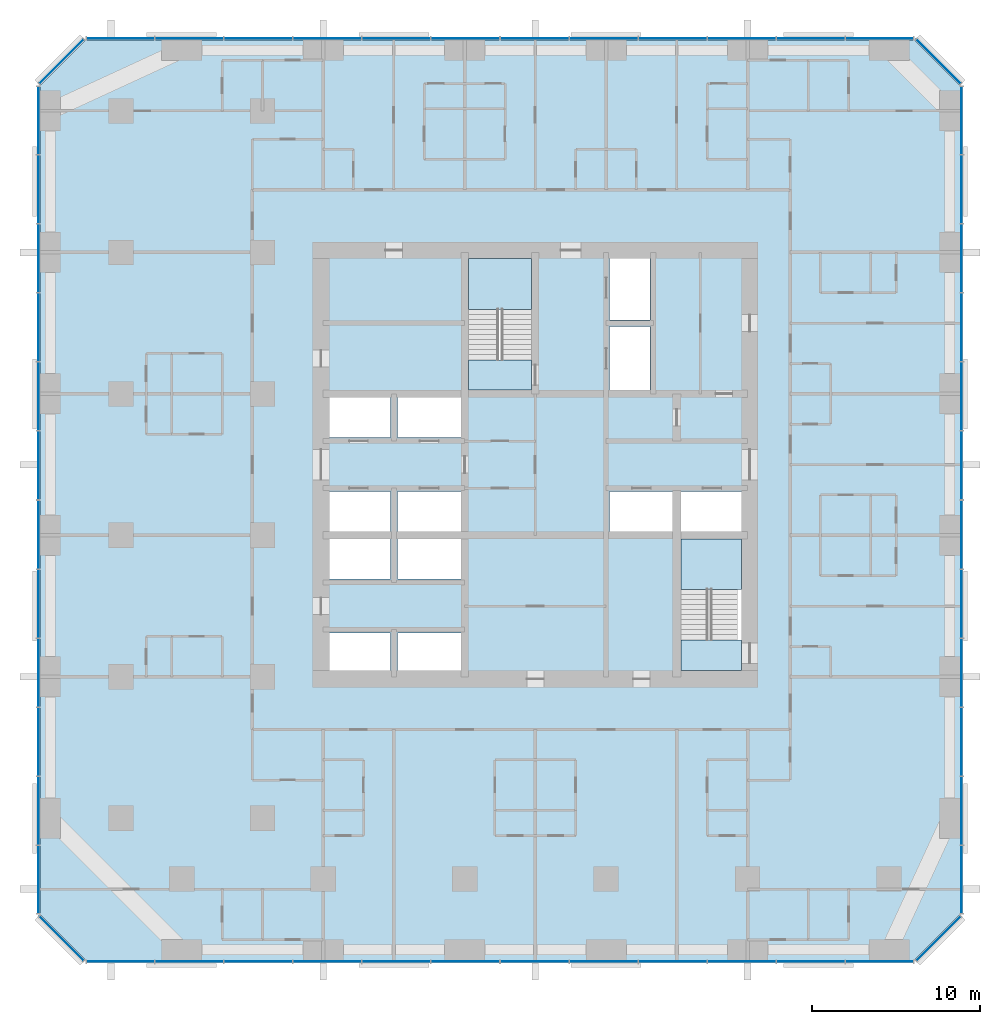
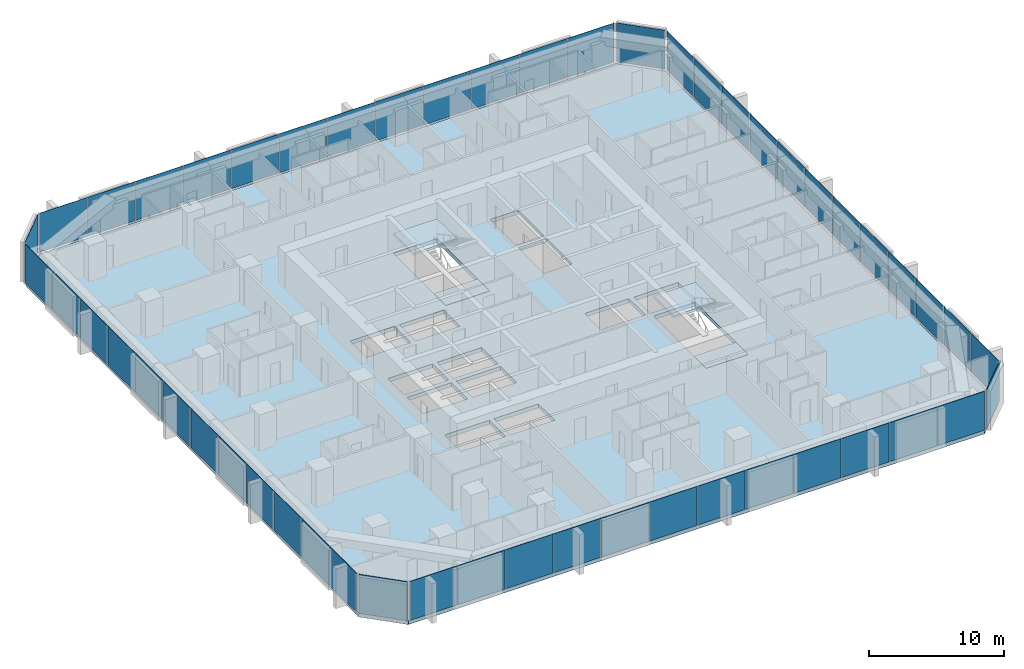
# One storey, part 7 of 14: 52 plates, 5 slabs, 10 elements without a shape of their own.
"""IFC4 building model written with IfcOpenShell, lengths in metres."""

from ifc_helpers import new_model, si_unit, direction, frame, origin, origin_2d, place, context, subcontext, project, spatial, polyline, rectangle, outline, extrude, material, layer, layer_set, type_object, element, aggregate, save


model = new_model("IFC4")

# Units and contexts
model_context = context("Model", 3, precision=1e-05, world=origin(), true_north=direction((0.0, 1.0)))
body_context = subcontext(model_context, "Body", "Model", "MODEL_VIEW")
ifc_project = project(units=[si_unit("LENGTHUNIT", "METRE"), si_unit("AREAUNIT", "SQUARE_METRE"), si_unit("VOLUMEUNIT", "CUBIC_METRE"), si_unit("PLANEANGLEUNIT", "RADIAN"), si_unit("MASSUNIT", "GRAM", prefix="KILO")], contexts=[model_context])

# Site, building, storey
site_placement = place(None, origin())
site = spatial("IfcSite", under=ifc_project, at=site_placement, CompositionType="ELEMENT")
building_placement = place(site_placement, origin())
building = spatial("IfcBuilding", under=site, at=building_placement, Name="Dunama Terrace Hotel", CompositionType="ELEMENT")
storey_placement = place(building_placement, frame((0.0, 0.0, 126.0)))
storey = spatial("IfcBuildingStorey", under=building, at=storey_placement, Name="L32", CompositionType="ELEMENT", Elevation=126.0)

# Curtain wall, plates
ifc_material_1 = material(Name="Aluminium curtain wall system", Category="aluminium")
curtain_wall_type = type_object("IfcCurtainWallType", Name="Unitised fritted glass wall CW-B", PredefinedType="NOTDEFINED", material=ifc_material_1)
curtain_wall_1_placement = place(storey_placement, origin())
curtain_wall_1 = element("IfcCurtainWall", 1, at=curtain_wall_1_placement, inside=storey, type_object=curtain_wall_type, Name="Unitised fritted glass wall CW-B L32", PredefinedType="NOTDEFINED")
ifc_material_2 = material(Name="Laminated glass", Category="glass")
ifc_layer_1 = layer(ifc_material_2, 0.030029296875)
ifc_layer_set_1 = layer_set([ifc_layer_1], Name="CWB clear glass panel")
plate_type_1 = type_object("IfcPlateType", Name="CWB clear glass panel", PredefinedType="CURTAIN_PANEL", material=ifc_layer_set_1)
plate_1_placement = place(storey_placement, frame((12.949951171875, -0.110107421875, 0.080078125), z_axis=(0.0, 0.0, 1.0), x_axis=(1.0, 0.0, 0.0)))
plate_1 = element("IfcPlate", 2, at=plate_1_placement, type_object=plate_type_1, Name="CWB clear glass panel", PredefinedType="CURTAIN_PANEL", context=body_context, shape_type="SweptSolid", body=[
    extrude(rectangle(XDim=4.034912109375, YDim=0.030029296875, at=origin_2d()), origin(), (0.0, 0.0, 1.0), 3.52001953125),
])
plate_2_placement = place(storey_placement, frame((25.25, -0.110107421875, 0.080078125), z_axis=(0.0, 0.0, 1.0), x_axis=(1.0, 0.0, 0.0)))
plate_2 = element("IfcPlate", 3, at=plate_2_placement, type_object=plate_type_1, Name="CWB clear glass panel", PredefinedType="CURTAIN_PANEL", context=body_context, shape_type="SweptSolid", body=[
    extrude(rectangle(XDim=4.034912109375, YDim=0.030029296875, at=origin_2d()), origin(), (0.0, 0.0, 1.0), 3.52001953125),
])
plate_3_placement = place(storey_placement, frame((37.550048828125, -0.110107421875, 0.080078125), z_axis=(0.0, 0.0, 1.0), x_axis=(1.0, 0.0, 0.0)))
plate_3 = element("IfcPlate", 4, at=plate_3_placement, type_object=plate_type_1, Name="CWB clear glass panel", PredefinedType="CURTAIN_PANEL", context=body_context, shape_type="SweptSolid", body=[
    extrude(rectangle(XDim=4.034912109375, YDim=0.030029296875, at=origin_2d()), origin(), (0.0, 0.0, 1.0), 3.52001953125),
])
plate_4_placement = place(storey_placement, frame((49.833984375, -0.110107421875, 0.080078125), z_axis=(0.0, 0.0, 1.0), x_axis=(1.0, 0.0, 0.0)))
plate_4 = element("IfcPlate", 5, at=plate_4_placement, type_object=plate_type_1, Name="CWB clear glass panel", PredefinedType="CURTAIN_PANEL", context=body_context, shape_type="SweptSolid", body=[
    extrude(rectangle(XDim=4.00244140625, YDim=0.030029296875, at=origin_2d()), origin(), (0.0, 0.0, 1.0), 3.52001953125),
])

curtain_wall_2_placement = place(storey_placement, origin())
curtain_wall_2 = element("IfcCurtainWall", 6, at=curtain_wall_2_placement, inside=storey, type_object=curtain_wall_type, Name="Unitised fritted glass wall CW-B L32", PredefinedType="NOTDEFINED")
plate_5_placement = place(storey_placement, frame((54.7099609375, 8.85009765625, 0.080078125), z_axis=(0.0, 0.0, 1.0), x_axis=(0.0, 1.0, 0.0)))
plate_5 = element("IfcPlate", 7, at=plate_5_placement, type_object=plate_type_1, Name="CWB clear glass panel", PredefinedType="CURTAIN_PANEL", context=body_context, shape_type="SweptSolid", body=[
    extrude(rectangle(XDim=4.034912109375, YDim=0.030029296875, at=origin_2d()), origin(), (0.0, 0.0, 1.0), 3.52001953125),
])
plate_6_placement = place(storey_placement, frame((54.7099609375, 21.14990234375, 0.080078125), z_axis=(0.0, 0.0, 1.0), x_axis=(0.0, 1.0, 0.0)))
plate_6 = element("IfcPlate", 8, at=plate_6_placement, type_object=plate_type_1, Name="CWB clear glass panel", PredefinedType="CURTAIN_PANEL", context=body_context, shape_type="SweptSolid", body=[
    extrude(rectangle(XDim=4.034912109375, YDim=0.030029296875, at=origin_2d()), origin(), (0.0, 0.0, 1.0), 3.52001953125),
])
plate_7_placement = place(storey_placement, frame((54.7099609375, 33.449951171875, 0.080078125), z_axis=(0.0, 0.0, 1.0), x_axis=(0.0, 1.0, 0.0)))
plate_7 = element("IfcPlate", 9, at=plate_7_placement, type_object=plate_type_1, Name="CWB clear glass panel", PredefinedType="CURTAIN_PANEL", context=body_context, shape_type="SweptSolid", body=[
    extrude(rectangle(XDim=4.034912109375, YDim=0.030029296875, at=origin_2d()), origin(), (0.0, 0.0, 1.0), 3.52001953125),
])
plate_8_placement = place(storey_placement, frame((54.7099609375, 45.75, 0.080078125), z_axis=(0.0, 0.0, 1.0), x_axis=(0.0, 1.0, 0.0)))
plate_8 = element("IfcPlate", 10, at=plate_8_placement, type_object=plate_type_1, Name="CWB clear glass panel", PredefinedType="CURTAIN_PANEL", context=body_context, shape_type="SweptSolid", body=[
    extrude(rectangle(XDim=4.034912109375, YDim=0.030029296875, at=origin_2d()), origin(), (0.0, 0.0, 1.0), 3.52001953125),
])

curtain_wall_3_placement = place(storey_placement, origin())
curtain_wall_3 = element("IfcCurtainWall", 11, at=curtain_wall_3_placement, inside=storey, type_object=curtain_wall_type, Name="Unitised fritted glass wall CW-B L32", PredefinedType="NOTDEFINED")
plate_9_placement = place(storey_placement, frame((49.833984375, 54.7099609375, 0.080078125), z_axis=(0.0, 0.0, 1.0), x_axis=(-1.0, 0.0, 0.0)))
plate_9 = element("IfcPlate", 12, at=plate_9_placement, type_object=plate_type_1, Name="CWB clear glass panel", PredefinedType="CURTAIN_PANEL", context=body_context, shape_type="SweptSolid", body=[
    extrude(rectangle(XDim=4.00244140625, YDim=0.030029296875, at=origin_2d()), origin(), (0.0, 0.0, 1.0), 3.52001953125),
])
plate_10_placement = place(storey_placement, frame((37.550048828125, 54.7099609375, 0.080078125), z_axis=(0.0, 0.0, 1.0), x_axis=(-1.0, 0.0, 0.0)))
plate_10 = element("IfcPlate", 13, at=plate_10_placement, type_object=plate_type_1, Name="CWB clear glass panel", PredefinedType="CURTAIN_PANEL", context=body_context, shape_type="SweptSolid", body=[
    extrude(rectangle(XDim=4.034912109375, YDim=0.030029296875, at=origin_2d()), origin(), (0.0, 0.0, 1.0), 3.52001953125),
])
plate_11_placement = place(storey_placement, frame((25.25, 54.7099609375, 0.080078125), z_axis=(0.0, 0.0, 1.0), x_axis=(-1.0, 0.0, 0.0)))
plate_11 = element("IfcPlate", 14, at=plate_11_placement, type_object=plate_type_1, Name="CWB clear glass panel", PredefinedType="CURTAIN_PANEL", context=body_context, shape_type="SweptSolid", body=[
    extrude(rectangle(XDim=4.034912109375, YDim=0.030029296875, at=origin_2d()), origin(), (0.0, 0.0, 1.0), 3.52001953125),
])
plate_12_placement = place(storey_placement, frame((12.949951171875, 54.7099609375, 0.080078125), z_axis=(0.0, 0.0, 1.0), x_axis=(-1.0, 0.0, 0.0)))
plate_12 = element("IfcPlate", 15, at=plate_12_placement, type_object=plate_type_1, Name="CWB clear glass panel", PredefinedType="CURTAIN_PANEL", context=body_context, shape_type="SweptSolid", body=[
    extrude(rectangle(XDim=4.034912109375, YDim=0.030029296875, at=origin_2d()), origin(), (0.0, 0.0, 1.0), 3.52001953125),
])

# Curtain wall, plate
curtain_wall_4_placement = place(storey_placement, origin())
curtain_wall_4 = element("IfcCurtainWall", 16, at=curtain_wall_4_placement, inside=storey, type_object=curtain_wall_type, Name="Unitised fritted glass wall CW-B L32", PredefinedType="NOTDEFINED")
plate_13_placement = place(storey_placement, frame((1.27197265625, 53.327880859375, 0.080078125), z_axis=(0.0, 0.0, 1.0), x_axis=(-0.707106781187, -0.707106781187, 0.0)))
plate_13 = element("IfcPlate", 17, at=plate_13_placement, type_object=plate_type_1, Name="CWB clear glass panel", PredefinedType="CURTAIN_PANEL", context=body_context, shape_type="SweptSolid", body=[
    extrude(rectangle(XDim=3.6884765625, YDim=0.030029296875, at=origin_2d()), origin(), (0.0, 0.0, 1.0), 3.52001953125),
])
aggregate(curtain_wall_4, [plate_13])

# Curtain wall, plates
curtain_wall_5_placement = place(storey_placement, origin())
curtain_wall_5 = element("IfcCurtainWall", 18, at=curtain_wall_5_placement, inside=storey, type_object=curtain_wall_type, Name="Unitised fritted glass wall CW-B L32", PredefinedType="NOTDEFINED")
plate_14_placement = place(storey_placement, frame((-0.110107421875, 41.64990234375, 0.080078125), z_axis=(0.0, 0.0, 1.0), x_axis=(0.0, -1.0, 0.0)))
plate_14 = element("IfcPlate", 19, at=plate_14_placement, type_object=plate_type_1, Name="CWB clear glass panel", PredefinedType="CURTAIN_PANEL", context=body_context, shape_type="SweptSolid", body=[
    extrude(rectangle(XDim=4.034912109375, YDim=0.030029296875, at=origin_2d()), origin(), (0.0, 0.0, 1.0), 3.52001953125),
])
plate_15_placement = place(storey_placement, frame((-0.110107421875, 29.35009765625, 0.080078125), z_axis=(0.0, 0.0, 1.0), x_axis=(0.0, -1.0, 0.0)))
plate_15 = element("IfcPlate", 20, at=plate_15_placement, type_object=plate_type_1, Name="CWB clear glass panel", PredefinedType="CURTAIN_PANEL", context=body_context, shape_type="SweptSolid", body=[
    extrude(rectangle(XDim=4.034912109375, YDim=0.030029296875, at=origin_2d()), origin(), (0.0, 0.0, 1.0), 3.52001953125),
])
plate_16_placement = place(storey_placement, frame((-0.110107421875, 17.050048828125, 0.080078125), z_axis=(0.0, 0.0, 1.0), x_axis=(0.0, -1.0, 0.0)))
plate_16 = element("IfcPlate", 21, at=plate_16_placement, type_object=plate_type_1, Name="CWB clear glass panel", PredefinedType="CURTAIN_PANEL", context=body_context, shape_type="SweptSolid", body=[
    extrude(rectangle(XDim=4.034912109375, YDim=0.030029296875, at=origin_2d()), origin(), (0.0, 0.0, 1.0), 3.52001953125),
])
plate_17_placement = place(storey_placement, frame((-0.110107421875, 4.76611328125, 0.080078125), z_axis=(0.0, 0.0, 1.0), x_axis=(0.0, -1.0, 0.0)))
plate_17 = element("IfcPlate", 22, at=plate_17_placement, type_object=plate_type_1, Name="CWB clear glass panel", PredefinedType="CURTAIN_PANEL", context=body_context, shape_type="SweptSolid", body=[
    extrude(rectangle(XDim=4.00244140625, YDim=0.030029296875, at=origin_2d()), origin(), (0.0, 0.0, 1.0), 3.52001953125),
])

# Plate
ifc_material_3 = material(Name="Fritted laminated glass", Category="glass")
ifc_layer_2 = layer(ifc_material_3, 0.030029296875)
ifc_layer_set_2 = layer_set([ifc_layer_2], Name="CWB fritted glass panel")
plate_type_2 = type_object("IfcPlateType", Name="CWB fritted glass panel", PredefinedType="CURTAIN_PANEL", material=ifc_layer_set_2)
plate_18_placement = place(storey_placement, frame((8.85009765625, -0.110107421875, 0.080078125), z_axis=(0.0, 0.0, 1.0), x_axis=(1.0, 0.0, 0.0)))
plate_18 = element("IfcPlate", 23, at=plate_18_placement, type_object=plate_type_2, Name="CWB fritted glass panel", PredefinedType="CURTAIN_PANEL", context=body_context, shape_type="SweptSolid", body=[
    extrude(rectangle(XDim=4.034912109375, YDim=0.030029296875, at=origin_2d()), origin(), (0.0, 0.0, 1.0), 3.52001953125),
])

plate_19_placement = place(storey_placement, frame((21.14990234375, -0.110107421875, 0.080078125), z_axis=(0.0, 0.0, 1.0), x_axis=(1.0, 0.0, 0.0)))
plate_19 = element("IfcPlate", 24, at=plate_19_placement, type_object=plate_type_2, Name="CWB fritted glass panel", PredefinedType="CURTAIN_PANEL", context=body_context, shape_type="SweptSolid", body=[
    extrude(rectangle(XDim=4.034912109375, YDim=0.030029296875, at=origin_2d()), origin(), (0.0, 0.0, 1.0), 3.52001953125),
])

plate_20_placement = place(storey_placement, frame((33.449951171875, -0.110107421875, 0.080078125), z_axis=(0.0, 0.0, 1.0), x_axis=(1.0, 0.0, 0.0)))
plate_20 = element("IfcPlate", 25, at=plate_20_placement, type_object=plate_type_2, Name="CWB fritted glass panel", PredefinedType="CURTAIN_PANEL", context=body_context, shape_type="SweptSolid", body=[
    extrude(rectangle(XDim=4.034912109375, YDim=0.030029296875, at=origin_2d()), origin(), (0.0, 0.0, 1.0), 3.52001953125),
])

plate_21_placement = place(storey_placement, frame((45.75, -0.110107421875, 0.080078125), z_axis=(0.0, 0.0, 1.0), x_axis=(1.0, 0.0, 0.0)))
plate_21 = element("IfcPlate", 26, at=plate_21_placement, type_object=plate_type_2, Name="CWB fritted glass panel", PredefinedType="CURTAIN_PANEL", context=body_context, shape_type="SweptSolid", body=[
    extrude(rectangle(XDim=4.034912109375, YDim=0.030029296875, at=origin_2d()), origin(), (0.0, 0.0, 1.0), 3.52001953125),
])

plate_22_placement = place(storey_placement, frame((54.7099609375, 4.76611328125, 0.080078125), z_axis=(0.0, 0.0, 1.0), x_axis=(0.0, 1.0, 0.0)))
plate_22 = element("IfcPlate", 27, at=plate_22_placement, type_object=plate_type_2, Name="CWB fritted glass panel", PredefinedType="CURTAIN_PANEL", context=body_context, shape_type="SweptSolid", body=[
    extrude(rectangle(XDim=4.00244140625, YDim=0.030029296875, at=origin_2d()), origin(), (0.0, 0.0, 1.0), 3.52001953125),
])

plate_23_placement = place(storey_placement, frame((54.7099609375, 17.050048828125, 0.080078125), z_axis=(0.0, 0.0, 1.0), x_axis=(0.0, 1.0, 0.0)))
plate_23 = element("IfcPlate", 28, at=plate_23_placement, type_object=plate_type_2, Name="CWB fritted glass panel", PredefinedType="CURTAIN_PANEL", context=body_context, shape_type="SweptSolid", body=[
    extrude(rectangle(XDim=4.034912109375, YDim=0.030029296875, at=origin_2d()), origin(), (0.0, 0.0, 1.0), 3.52001953125),
])

plate_24_placement = place(storey_placement, frame((54.7099609375, 29.35009765625, 0.080078125), z_axis=(0.0, 0.0, 1.0), x_axis=(0.0, 1.0, 0.0)))
plate_24 = element("IfcPlate", 29, at=plate_24_placement, type_object=plate_type_2, Name="CWB fritted glass panel", PredefinedType="CURTAIN_PANEL", context=body_context, shape_type="SweptSolid", body=[
    extrude(rectangle(XDim=4.034912109375, YDim=0.030029296875, at=origin_2d()), origin(), (0.0, 0.0, 1.0), 3.52001953125),
])

plate_25_placement = place(storey_placement, frame((54.7099609375, 41.64990234375, 0.080078125), z_axis=(0.0, 0.0, 1.0), x_axis=(0.0, 1.0, 0.0)))
plate_25 = element("IfcPlate", 30, at=plate_25_placement, type_object=plate_type_2, Name="CWB fritted glass panel", PredefinedType="CURTAIN_PANEL", context=body_context, shape_type="SweptSolid", body=[
    extrude(rectangle(XDim=4.034912109375, YDim=0.030029296875, at=origin_2d()), origin(), (0.0, 0.0, 1.0), 3.52001953125),
])

# Curtain wall, plate
curtain_wall_6_placement = place(storey_placement, origin())
curtain_wall_6 = element("IfcCurtainWall", 31, at=curtain_wall_6_placement, inside=storey, type_object=curtain_wall_type, Name="Unitised fritted glass wall CW-B L32", PredefinedType="NOTDEFINED")
plate_26_placement = place(storey_placement, frame((53.327880859375, 53.327880859375, 0.080078125), z_axis=(0.0, 0.0, 1.0), x_axis=(-0.707106781187, 0.707106781187, 0.0)))
plate_26 = element("IfcPlate", 32, at=plate_26_placement, type_object=plate_type_2, Name="CWB fritted glass panel", PredefinedType="CURTAIN_PANEL", context=body_context, shape_type="SweptSolid", body=[
    extrude(rectangle(XDim=3.6884765625, YDim=0.030029296875, at=origin_2d()), origin(), (0.0, 0.0, 1.0), 3.52001953125),
])
aggregate(curtain_wall_6, [plate_26])

# Plate
plate_27_placement = place(storey_placement, frame((41.64990234375, 54.7099609375, 0.080078125), z_axis=(0.0, 0.0, 1.0), x_axis=(-1.0, 0.0, 0.0)))
plate_27 = element("IfcPlate", 33, at=plate_27_placement, type_object=plate_type_2, Name="CWB fritted glass panel", PredefinedType="CURTAIN_PANEL", context=body_context, shape_type="SweptSolid", body=[
    extrude(rectangle(XDim=4.034912109375, YDim=0.030029296875, at=origin_2d()), origin(), (0.0, 0.0, 1.0), 3.52001953125),
])

plate_28_placement = place(storey_placement, frame((29.35009765625, 54.7099609375, 0.080078125), z_axis=(0.0, 0.0, 1.0), x_axis=(-1.0, 0.0, 0.0)))
plate_28 = element("IfcPlate", 34, at=plate_28_placement, type_object=plate_type_2, Name="CWB fritted glass panel", PredefinedType="CURTAIN_PANEL", context=body_context, shape_type="SweptSolid", body=[
    extrude(rectangle(XDim=4.034912109375, YDim=0.030029296875, at=origin_2d()), origin(), (0.0, 0.0, 1.0), 3.52001953125),
])

plate_29_placement = place(storey_placement, frame((17.050048828125, 54.7099609375, 0.080078125), z_axis=(0.0, 0.0, 1.0), x_axis=(-1.0, 0.0, 0.0)))
plate_29 = element("IfcPlate", 35, at=plate_29_placement, type_object=plate_type_2, Name="CWB fritted glass panel", PredefinedType="CURTAIN_PANEL", context=body_context, shape_type="SweptSolid", body=[
    extrude(rectangle(XDim=4.034912109375, YDim=0.030029296875, at=origin_2d()), origin(), (0.0, 0.0, 1.0), 3.52001953125),
])

plate_30_placement = place(storey_placement, frame((4.76611328125, 54.7099609375, 0.080078125), z_axis=(0.0, 0.0, 1.0), x_axis=(-1.0, 0.0, 0.0)))
plate_30 = element("IfcPlate", 36, at=plate_30_placement, type_object=plate_type_2, Name="CWB fritted glass panel", PredefinedType="CURTAIN_PANEL", context=body_context, shape_type="SweptSolid", body=[
    extrude(rectangle(XDim=4.00244140625, YDim=0.030029296875, at=origin_2d()), origin(), (0.0, 0.0, 1.0), 3.52001953125),
])

plate_31_placement = place(storey_placement, frame((-0.110107421875, 45.75, 0.080078125), z_axis=(0.0, 0.0, 1.0), x_axis=(0.0, -1.0, 0.0)))
plate_31 = element("IfcPlate", 37, at=plate_31_placement, type_object=plate_type_2, Name="CWB fritted glass panel", PredefinedType="CURTAIN_PANEL", context=body_context, shape_type="SweptSolid", body=[
    extrude(rectangle(XDim=4.034912109375, YDim=0.030029296875, at=origin_2d()), origin(), (0.0, 0.0, 1.0), 3.52001953125),
])

plate_32_placement = place(storey_placement, frame((-0.110107421875, 33.449951171875, 0.080078125), z_axis=(0.0, 0.0, 1.0), x_axis=(0.0, -1.0, 0.0)))
plate_32 = element("IfcPlate", 38, at=plate_32_placement, type_object=plate_type_2, Name="CWB fritted glass panel", PredefinedType="CURTAIN_PANEL", context=body_context, shape_type="SweptSolid", body=[
    extrude(rectangle(XDim=4.034912109375, YDim=0.030029296875, at=origin_2d()), origin(), (0.0, 0.0, 1.0), 3.52001953125),
])

plate_33_placement = place(storey_placement, frame((-0.110107421875, 21.14990234375, 0.080078125), z_axis=(0.0, 0.0, 1.0), x_axis=(0.0, -1.0, 0.0)))
plate_33 = element("IfcPlate", 39, at=plate_33_placement, type_object=plate_type_2, Name="CWB fritted glass panel", PredefinedType="CURTAIN_PANEL", context=body_context, shape_type="SweptSolid", body=[
    extrude(rectangle(XDim=4.034912109375, YDim=0.030029296875, at=origin_2d()), origin(), (0.0, 0.0, 1.0), 3.52001953125),
])

plate_34_placement = place(storey_placement, frame((-0.110107421875, 8.85009765625, 0.080078125), z_axis=(0.0, 0.0, 1.0), x_axis=(0.0, -1.0, 0.0)))
plate_34 = element("IfcPlate", 40, at=plate_34_placement, type_object=plate_type_2, Name="CWB fritted glass panel", PredefinedType="CURTAIN_PANEL", context=body_context, shape_type="SweptSolid", body=[
    extrude(rectangle(XDim=4.034912109375, YDim=0.030029296875, at=origin_2d()), origin(), (0.0, 0.0, 1.0), 3.52001953125),
])

ifc_material_4 = material(Name="Laminated glass", Category="glass")
ifc_layer_3 = layer(ifc_material_4, 0.030029296875)
ifc_layer_set_3 = layer_set([ifc_layer_3], Name="CWB operable glass panel")
plate_type_3 = type_object("IfcPlateType", Name="CWB operable glass panel", PredefinedType="CURTAIN_PANEL", material=ifc_layer_set_3)
plate_35_placement = place(storey_placement, frame((4.76611328125, -0.110107421875, 0.080078125), z_axis=(0.0, 0.0, 1.0), x_axis=(1.0, 0.0, 0.0)))
plate_35 = element("IfcPlate", 41, at=plate_35_placement, type_object=plate_type_3, Name="CWB operable glass panel", PredefinedType="CURTAIN_PANEL", context=body_context, shape_type="SweptSolid", body=[
    extrude(rectangle(XDim=4.00244140625, YDim=0.030029296875, at=origin_2d()), origin(), (0.0, 0.0, 1.0), 3.52001953125),
])

plate_36_placement = place(storey_placement, frame((17.050048828125, -0.110107421875, 0.080078125), z_axis=(0.0, 0.0, 1.0), x_axis=(1.0, 0.0, 0.0)))
plate_36 = element("IfcPlate", 42, at=plate_36_placement, type_object=plate_type_3, Name="CWB operable glass panel", PredefinedType="CURTAIN_PANEL", context=body_context, shape_type="SweptSolid", body=[
    extrude(rectangle(XDim=4.034912109375, YDim=0.030029296875, at=origin_2d()), origin(), (0.0, 0.0, 1.0), 3.52001953125),
])

plate_37_placement = place(storey_placement, frame((29.35009765625, -0.110107421875, 0.080078125), z_axis=(0.0, 0.0, 1.0), x_axis=(1.0, 0.0, 0.0)))
plate_37 = element("IfcPlate", 43, at=plate_37_placement, type_object=plate_type_3, Name="CWB operable glass panel", PredefinedType="CURTAIN_PANEL", context=body_context, shape_type="SweptSolid", body=[
    extrude(rectangle(XDim=4.034912109375, YDim=0.030029296875, at=origin_2d()), origin(), (0.0, 0.0, 1.0), 3.52001953125),
])

plate_38_placement = place(storey_placement, frame((41.64990234375, -0.110107421875, 0.080078125), z_axis=(0.0, 0.0, 1.0), x_axis=(1.0, 0.0, 0.0)))
plate_38 = element("IfcPlate", 44, at=plate_38_placement, type_object=plate_type_3, Name="CWB operable glass panel", PredefinedType="CURTAIN_PANEL", context=body_context, shape_type="SweptSolid", body=[
    extrude(rectangle(XDim=4.034912109375, YDim=0.030029296875, at=origin_2d()), origin(), (0.0, 0.0, 1.0), 3.52001953125),
])

aggregate(curtain_wall_1, [plate_35, plate_18, plate_1, plate_36, plate_19, plate_2, plate_37, plate_20, plate_3, plate_38, plate_21, plate_4])

# Curtain wall, plate
curtain_wall_7_placement = place(storey_placement, origin())
curtain_wall_7 = element("IfcCurtainWall", 45, at=curtain_wall_7_placement, inside=storey, type_object=curtain_wall_type, Name="Unitised fritted glass wall CW-B L32", PredefinedType="NOTDEFINED")
plate_39_placement = place(storey_placement, frame((53.327880859375, 1.27197265625, 0.080078125), z_axis=(0.0, 0.0, 1.0), x_axis=(0.707106781187, 0.707106781187, 0.0)))
plate_39 = element("IfcPlate", 46, at=plate_39_placement, type_object=plate_type_3, Name="CWB operable glass panel", PredefinedType="CURTAIN_PANEL", context=body_context, shape_type="SweptSolid", body=[
    extrude(rectangle(XDim=3.6884765625, YDim=0.030029296875, at=origin_2d()), origin(), (0.0, 0.0, 1.0), 3.52001953125),
])
aggregate(curtain_wall_7, [plate_39])

# Plate
plate_40_placement = place(storey_placement, frame((54.7099609375, 12.949951171875, 0.080078125), z_axis=(0.0, 0.0, 1.0), x_axis=(0.0, 1.0, 0.0)))
plate_40 = element("IfcPlate", 47, at=plate_40_placement, type_object=plate_type_3, Name="CWB operable glass panel", PredefinedType="CURTAIN_PANEL", context=body_context, shape_type="SweptSolid", body=[
    extrude(rectangle(XDim=4.034912109375, YDim=0.030029296875, at=origin_2d()), origin(), (0.0, 0.0, 1.0), 3.52001953125),
])

plate_41_placement = place(storey_placement, frame((54.7099609375, 25.25, 0.080078125), z_axis=(0.0, 0.0, 1.0), x_axis=(0.0, 1.0, 0.0)))
plate_41 = element("IfcPlate", 48, at=plate_41_placement, type_object=plate_type_3, Name="CWB operable glass panel", PredefinedType="CURTAIN_PANEL", context=body_context, shape_type="SweptSolid", body=[
    extrude(rectangle(XDim=4.034912109375, YDim=0.030029296875, at=origin_2d()), origin(), (0.0, 0.0, 1.0), 3.52001953125),
])

plate_42_placement = place(storey_placement, frame((54.7099609375, 37.550048828125, 0.080078125), z_axis=(0.0, 0.0, 1.0), x_axis=(0.0, 1.0, 0.0)))
plate_42 = element("IfcPlate", 49, at=plate_42_placement, type_object=plate_type_3, Name="CWB operable glass panel", PredefinedType="CURTAIN_PANEL", context=body_context, shape_type="SweptSolid", body=[
    extrude(rectangle(XDim=4.034912109375, YDim=0.030029296875, at=origin_2d()), origin(), (0.0, 0.0, 1.0), 3.52001953125),
])

plate_43_placement = place(storey_placement, frame((54.7099609375, 49.833984375, 0.080078125), z_axis=(0.0, 0.0, 1.0), x_axis=(0.0, 1.0, 0.0)))
plate_43 = element("IfcPlate", 50, at=plate_43_placement, type_object=plate_type_3, Name="CWB operable glass panel", PredefinedType="CURTAIN_PANEL", context=body_context, shape_type="SweptSolid", body=[
    extrude(rectangle(XDim=4.00244140625, YDim=0.030029296875, at=origin_2d()), origin(), (0.0, 0.0, 1.0), 3.52001953125),
])

aggregate(curtain_wall_2, [plate_22, plate_5, plate_40, plate_23, plate_6, plate_41, plate_24, plate_7, plate_42, plate_25, plate_8, plate_43])

plate_44_placement = place(storey_placement, frame((45.75, 54.7099609375, 0.080078125), z_axis=(0.0, 0.0, 1.0), x_axis=(-1.0, 0.0, 0.0)))
plate_44 = element("IfcPlate", 51, at=plate_44_placement, type_object=plate_type_3, Name="CWB operable glass panel", PredefinedType="CURTAIN_PANEL", context=body_context, shape_type="SweptSolid", body=[
    extrude(rectangle(XDim=4.034912109375, YDim=0.030029296875, at=origin_2d()), origin(), (0.0, 0.0, 1.0), 3.52001953125),
])

plate_45_placement = place(storey_placement, frame((33.449951171875, 54.7099609375, 0.080078125), z_axis=(0.0, 0.0, 1.0), x_axis=(-1.0, 0.0, 0.0)))
plate_45 = element("IfcPlate", 52, at=plate_45_placement, type_object=plate_type_3, Name="CWB operable glass panel", PredefinedType="CURTAIN_PANEL", context=body_context, shape_type="SweptSolid", body=[
    extrude(rectangle(XDim=4.034912109375, YDim=0.030029296875, at=origin_2d()), origin(), (0.0, 0.0, 1.0), 3.52001953125),
])

plate_46_placement = place(storey_placement, frame((21.14990234375, 54.7099609375, 0.080078125), z_axis=(0.0, 0.0, 1.0), x_axis=(-1.0, 0.0, 0.0)))
plate_46 = element("IfcPlate", 53, at=plate_46_placement, type_object=plate_type_3, Name="CWB operable glass panel", PredefinedType="CURTAIN_PANEL", context=body_context, shape_type="SweptSolid", body=[
    extrude(rectangle(XDim=4.034912109375, YDim=0.030029296875, at=origin_2d()), origin(), (0.0, 0.0, 1.0), 3.52001953125),
])

plate_47_placement = place(storey_placement, frame((8.85009765625, 54.7099609375, 0.080078125), z_axis=(0.0, 0.0, 1.0), x_axis=(-1.0, 0.0, 0.0)))
plate_47 = element("IfcPlate", 54, at=plate_47_placement, type_object=plate_type_3, Name="CWB operable glass panel", PredefinedType="CURTAIN_PANEL", context=body_context, shape_type="SweptSolid", body=[
    extrude(rectangle(XDim=4.034912109375, YDim=0.030029296875, at=origin_2d()), origin(), (0.0, 0.0, 1.0), 3.52001953125),
])

aggregate(curtain_wall_3, [plate_9, plate_44, plate_27, plate_10, plate_45, plate_28, plate_11, plate_46, plate_29, plate_12, plate_47, plate_30])

plate_48_placement = place(storey_placement, frame((-0.110107421875, 49.833984375, 0.080078125), z_axis=(0.0, 0.0, 1.0), x_axis=(0.0, -1.0, 0.0)))
plate_48 = element("IfcPlate", 55, at=plate_48_placement, type_object=plate_type_3, Name="CWB operable glass panel", PredefinedType="CURTAIN_PANEL", context=body_context, shape_type="SweptSolid", body=[
    extrude(rectangle(XDim=4.00244140625, YDim=0.030029296875, at=origin_2d()), origin(), (0.0, 0.0, 1.0), 3.52001953125),
])

plate_49_placement = place(storey_placement, frame((-0.110107421875, 37.550048828125, 0.080078125), z_axis=(0.0, 0.0, 1.0), x_axis=(0.0, -1.0, 0.0)))
plate_49 = element("IfcPlate", 56, at=plate_49_placement, type_object=plate_type_3, Name="CWB operable glass panel", PredefinedType="CURTAIN_PANEL", context=body_context, shape_type="SweptSolid", body=[
    extrude(rectangle(XDim=4.034912109375, YDim=0.030029296875, at=origin_2d()), origin(), (0.0, 0.0, 1.0), 3.52001953125),
])

plate_50_placement = place(storey_placement, frame((-0.110107421875, 25.25, 0.080078125), z_axis=(0.0, 0.0, 1.0), x_axis=(0.0, -1.0, 0.0)))
plate_50 = element("IfcPlate", 57, at=plate_50_placement, type_object=plate_type_3, Name="CWB operable glass panel", PredefinedType="CURTAIN_PANEL", context=body_context, shape_type="SweptSolid", body=[
    extrude(rectangle(XDim=4.034912109375, YDim=0.030029296875, at=origin_2d()), origin(), (0.0, 0.0, 1.0), 3.52001953125),
])

plate_51_placement = place(storey_placement, frame((-0.110107421875, 12.949951171875, 0.080078125), z_axis=(0.0, 0.0, 1.0), x_axis=(0.0, -1.0, 0.0)))
plate_51 = element("IfcPlate", 58, at=plate_51_placement, type_object=plate_type_3, Name="CWB operable glass panel", PredefinedType="CURTAIN_PANEL", context=body_context, shape_type="SweptSolid", body=[
    extrude(rectangle(XDim=4.034912109375, YDim=0.030029296875, at=origin_2d()), origin(), (0.0, 0.0, 1.0), 3.52001953125),
])

aggregate(curtain_wall_5, [plate_48, plate_31, plate_14, plate_49, plate_32, plate_15, plate_50, plate_33, plate_16, plate_51, plate_34, plate_17])

# Curtain wall, plate
curtain_wall_8_placement = place(storey_placement, origin())
curtain_wall_8 = element("IfcCurtainWall", 59, at=curtain_wall_8_placement, inside=storey, type_object=curtain_wall_type, Name="Unitised fritted glass wall CW-B L32", PredefinedType="NOTDEFINED")
plate_52_placement = place(storey_placement, frame((1.27197265625, 1.27197265625, 0.080078125), z_axis=(0.0, 0.0, 1.0), x_axis=(0.707106781187, -0.707106781187, 0.0)))
plate_52 = element("IfcPlate", 60, at=plate_52_placement, type_object=plate_type_3, Name="CWB operable glass panel", PredefinedType="CURTAIN_PANEL", context=body_context, shape_type="SweptSolid", body=[
    extrude(rectangle(XDim=3.6884765625, YDim=0.030029296875, at=origin_2d()), origin(), (0.0, 0.0, 1.0), 3.52001953125),
])
aggregate(curtain_wall_8, [plate_52])

# Slab
ifc_material_5 = material(Name="Concrete C40/50", Category="concrete")
ifc_layer_4 = layer(ifc_material_5, 0.35009765625)
ifc_layer_set_4 = layer_set([ifc_layer_4], Name="Flat plate 350")
slab_type_1 = type_object("IfcSlabType", Name="Flat plate 350", PredefinedType="FLOOR", material=ifc_layer_set_4)
slab_1_placement = place(storey_placement, frame((0.0, 0.0, -0.35009765625)))
element("IfcSlab", 61, at=slab_1_placement, inside=storey, type_object=slab_type_1, Name="Floor slab L32", PredefinedType="FLOOR", context=body_context, shape_type="SweptSolid", body=[
    extrude(outline(polyline([(2.699951171875, 0.0), (51.89990234375, 0.0), (54.60009765625, 2.699951171875), (54.60009765625, 51.89990234375), (51.89990234375, 54.60009765625), (2.699951171875, 54.60009765625), (0.0, 51.89990234375), (0.0, 2.699951171875), (2.699951171875, 0.0)]), holes=[polyline([(37.60009765625, 25.39990234375), (37.60009765625, 27.800048828125), (33.800048828125, 27.800048828125), (33.800048828125, 25.39990234375), (37.60009765625, 25.39990234375)]), polyline([(41.800048828125, 25.39990234375), (41.800048828125, 27.800048828125), (38.0, 27.800048828125), (38.0, 25.39990234375), (41.800048828125, 25.39990234375)]), polyline([(20.800048828125, 17.0), (20.800048828125, 19.39990234375), (17.0, 19.39990234375), (17.0, 17.0), (20.800048828125, 17.0)]), polyline([(25.0, 17.0), (25.0, 19.39990234375), (21.199951171875, 19.39990234375), (21.199951171875, 17.0), (25.0, 17.0)]), polyline([(20.800048828125, 22.60009765625), (20.800048828125, 25.0), (17.0, 25.0), (17.0, 22.60009765625), (20.800048828125, 22.60009765625)]), polyline([(25.0, 22.60009765625), (25.0, 25.0), (21.199951171875, 25.0), (21.199951171875, 22.60009765625), (25.0, 22.60009765625)]), polyline([(20.800048828125, 25.39990234375), (20.800048828125, 27.800048828125), (17.0, 27.800048828125), (17.0, 25.39990234375), (20.800048828125, 25.39990234375)]), polyline([(25.0, 25.39990234375), (25.0, 27.800048828125), (21.199951171875, 27.800048828125), (21.199951171875, 25.39990234375), (25.0, 25.39990234375)]), polyline([(20.800048828125, 31.0), (20.800048828125, 33.39990234375), (17.0, 33.39990234375), (17.0, 31.0), (20.800048828125, 31.0)]), polyline([(25.0, 31.0), (25.0, 33.39990234375), (21.199951171875, 33.39990234375), (21.199951171875, 31.0), (25.0, 31.0)]), polyline([(36.199951171875, 38.0), (36.199951171875, 41.800048828125), (33.800048828125, 41.800048828125), (33.800048828125, 38.0), (36.199951171875, 38.0)]), polyline([(36.199951171875, 33.800048828125), (36.199951171875, 37.60009765625), (33.800048828125, 37.60009765625), (33.800048828125, 33.800048828125), (36.199951171875, 33.800048828125)]), polyline([(29.175048828125, 33.824951171875), (29.175048828125, 41.625), (25.425048828125, 41.625), (25.425048828125, 33.824951171875), (29.175048828125, 33.824951171875)]), polyline([(41.625, 17.175048828125), (41.625, 24.97509765625), (38.050048828125, 24.97509765625), (38.050048828125, 17.175048828125), (41.625, 17.175048828125)])]), origin(), (0.0, 0.0, 1.0), 0.35009765625),
])

# Stair, slabs
ifc_material_6 = material(Name="Concrete C40/50", Category="concrete")
stair_type_1 = type_object("IfcStairType", Name="Stair ST1-3600-1800", PredefinedType="HALF_TURN_STAIR", material=ifc_material_6)
stair_1_placement = place(storey_placement, origin())
stair_1 = element("IfcStair", 62, at=stair_1_placement, inside=storey, type_object=stair_type_1, Name="Stair ST1 L32", PredefinedType="HALF_TURN_STAIR")
ifc_material_7 = material(Name="Concrete C40/50", Category="concrete")
ifc_layer_5 = layer(ifc_material_7, 0.199951171875)
ifc_layer_set_5 = layer_set([ifc_layer_5], Name="Stair landing 200")
slab_type_2 = type_object("IfcSlabType", Name="Stair landing 200", PredefinedType="LANDING", material=ifc_layer_set_5)
slab_2_placement = place(storey_placement, frame((0.0, 0.0, -0.199951171875)))
slab_2 = element("IfcSlab", 63, at=slab_2_placement, type_object=slab_type_2, Name="ST1 landing 1, type S10", PredefinedType="LANDING", context=body_context, shape_type="SweptSolid", body=[
    extrude(outline(polyline([(25.425048828125, 33.824951171875), (29.175048828125, 33.824951171875), (29.175048828125, 35.625), (25.425048828125, 35.625), (25.425048828125, 33.824951171875)])), origin(), (0.0, 0.0, 1.0), 0.199951171875),
])
slab_3_placement = place(storey_placement, frame((0.0, 0.0, 1.60009765625)))
slab_3 = element("IfcSlab", 64, at=slab_3_placement, type_object=slab_type_2, Name="ST1 landing 2, type S10", PredefinedType="LANDING", context=body_context, shape_type="SweptSolid", body=[
    extrude(outline(polyline([(25.425048828125, 38.625), (29.175048828125, 38.625), (29.175048828125, 41.625), (25.425048828125, 41.625), (25.425048828125, 38.625)])), origin(), (0.0, 0.0, 1.0), 0.199951171875),
])
aggregate(stair_1, [slab_2, slab_3])

ifc_material_8 = material(Name="Concrete C40/50", Category="concrete")
stair_type_2 = type_object("IfcStairType", Name="Stair ST2-3600-1600", PredefinedType="HALF_TURN_STAIR", material=ifc_material_8)
stair_2_placement = place(storey_placement, origin())
stair_2 = element("IfcStair", 65, at=stair_2_placement, inside=storey, type_object=stair_type_2, Name="Stair ST2 L32", PredefinedType="HALF_TURN_STAIR")
slab_4_placement = place(storey_placement, frame((0.0, 0.0, -0.199951171875)))
slab_4 = element("IfcSlab", 66, at=slab_4_placement, type_object=slab_type_2, Name="ST2 landing 1, type S10", PredefinedType="LANDING", context=body_context, shape_type="SweptSolid", body=[
    extrude(outline(polyline([(38.050048828125, 17.175048828125), (41.625, 17.175048828125), (41.625, 19.0), (38.050048828125, 19.0), (38.050048828125, 17.175048828125)])), origin(), (0.0, 0.0, 1.0), 0.199951171875),
])
slab_5_placement = place(storey_placement, frame((0.0, 0.0, 1.60009765625)))
slab_5 = element("IfcSlab", 67, at=slab_5_placement, type_object=slab_type_2, Name="ST2 landing 2, type S10", PredefinedType="LANDING", context=body_context, shape_type="SweptSolid", body=[
    extrude(outline(polyline([(38.050048828125, 22.0), (41.625, 22.0), (41.625, 24.97509765625), (38.050048828125, 24.97509765625), (38.050048828125, 22.0)])), origin(), (0.0, 0.0, 1.0), 0.199951171875),
])
aggregate(stair_2, [slab_4, slab_5])

save(model, "model.ifc")
